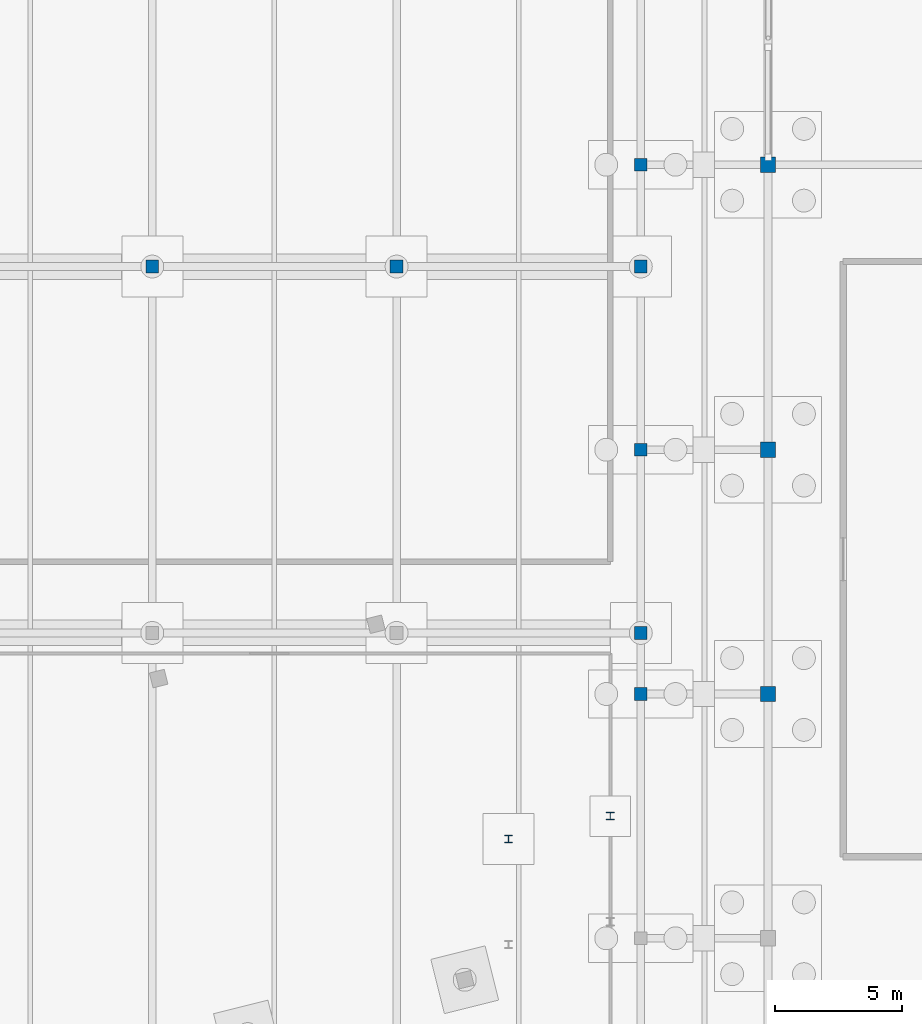
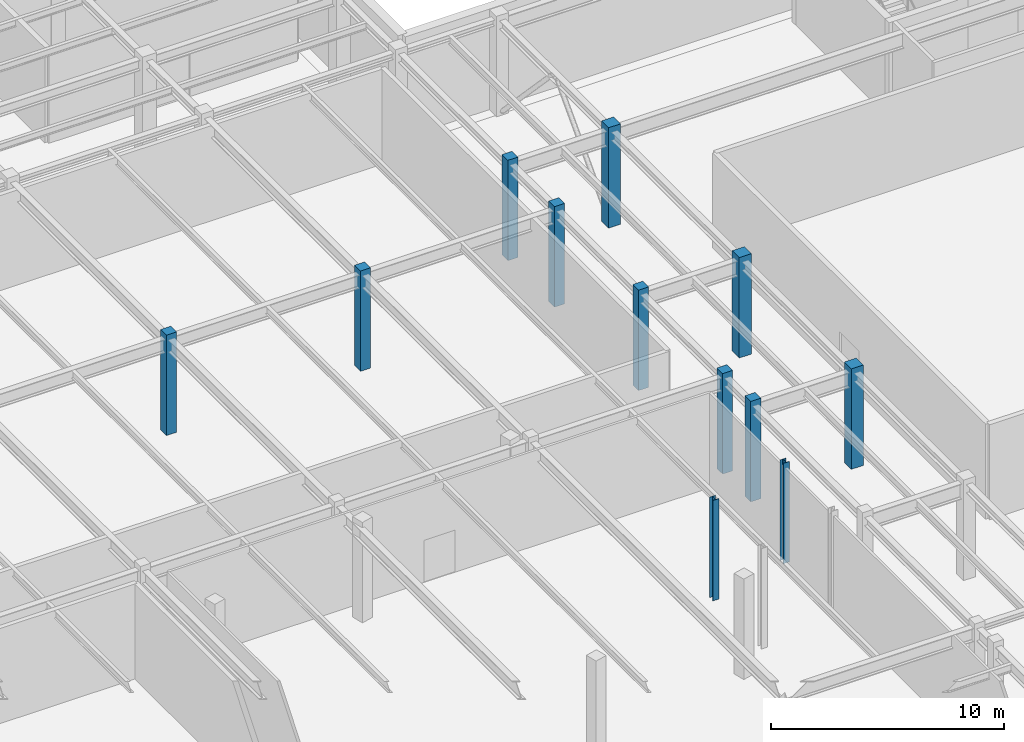
# One storey, part 12 of 33: 12 columns.
"""IFC4 building model written with IfcOpenShell, lengths in metres."""

from ifc_helpers import new_model, si_unit, direction, frame, origin, origin_2d, place, context, subcontext, project, spatial, rectangle, i_section, extrude, material, material_profile, profile_set, type_object, element, save


model = new_model("IFC4")

# Units and contexts
model_context = context("Model", 3, precision=1e-05, world=origin(), true_north=direction((0.0, 1.0)))
body_context = subcontext(model_context, "Body", "Model", "MODEL_VIEW")
ifc_project = project(units=[si_unit("LENGTHUNIT", "METRE"), si_unit("AREAUNIT", "SQUARE_METRE"), si_unit("VOLUMEUNIT", "CUBIC_METRE"), si_unit("PLANEANGLEUNIT", "RADIAN"), si_unit("MASSUNIT", "GRAM", prefix="KILO")], contexts=[model_context])

# Site, building, storey
site_placement = place(None, origin())
site = spatial("IfcSite", under=ifc_project, at=site_placement, CompositionType="ELEMENT")
building_placement = place(site_placement, origin())
building = spatial("IfcBuilding", under=site, at=building_placement, Name="Nordkorset Police Headquarters", CompositionType="ELEMENT")
storey_placement = place(building_placement, frame((0.0, 0.0, -9.800048828125)))
storey = spatial("IfcBuildingStorey", under=building, at=storey_placement, Name="B02", CompositionType="ELEMENT", Elevation=-9.800048828125)

# Columns
ifc_material_1 = material(Name="Steel S355J2", Category="steel")
ifc_material_profile_1 = material_profile(ifc_material_1, i_section(OverallWidth=0.300048828125, OverallDepth=0.300048828125, WebThickness=0.010986328125, FlangeThickness=0.01904296875, FilletRadius=0.027099609375, at=origin_2d()), Name="HEB 300")
ifc_profile_set_1 = profile_set([ifc_material_profile_1], Name="Steel S355J2")
column_type_1 = type_object("IfcColumnType", Name="Col_HEB_300", PredefinedType="COLUMN", material=ifc_profile_set_1)
for number, where, z_axis, x_axis, name in (
    (1, (81.199951171875, 61.5, 0.0), (0.0, 0.0, 1.0), (1.0, 0.0, 0.0), "Courtyard Link Bridge Column BRG_E_W1 B02"),
    (2, (85.199951171875, 62.39990234375, 0.0), (0.0, 0.0, 1.0), (1.0, 0.0, 0.0), "Courtyard Link Bridge Column BRG_E_E1 B02"),
):
    element("IfcColumn", number, at=place(storey_placement, frame(where, z_axis=z_axis, x_axis=x_axis)), inside=storey, type_object=column_type_1, Name=name, PredefinedType="COLUMN", context=body_context, shape_type="SweptSolid", body=[
        extrude(i_section(OverallWidth=0.300048828125, OverallDepth=0.300048828125, WebThickness=0.010986328125, FlangeThickness=0.01904296875, FilletRadius=0.027099609375, at=origin_2d()), origin(), (0.0, 0.0, 1.0), 5.25),
    ])
ifc_material_2 = material(Name="Concrete C45/55", Category="concrete")
ifc_material_profile_2 = material_profile(ifc_material_2, rectangle(XDim=0.5, YDim=0.5, at=origin_2d()), Name="RC 500x500")
ifc_profile_set_2 = profile_set([ifc_material_profile_2], Name="Concrete C45/55")
column_type_2 = type_object("IfcColumnType", Name="Col_RC_500x500", PredefinedType="COLUMN", material=ifc_profile_set_2)
for number, where, z_axis, x_axis, name in (
    (3, (86.39990234375, 67.199951171875, 0.0), (0.0, 0.0, 1.0), (1.0, 0.0, 0.0), "Structural Column V5_X0_2 B02"),
    (4, (86.39990234375, 76.800048828125, 0.0), (0.0, 0.0, 1.0), (1.0, 0.0, 0.0), "Structural Column V5_X0_3 B02"),
    (5, (86.39990234375, 88.0, 0.0), (0.0, 0.0, 1.0), (1.0, 0.0, 0.0), "Structural Column V5_X0_4 B02"),
    (6, (67.199951171875, 84.0, 0.0), (0.0, 0.0, 1.0), (1.0, 0.0, 0.0), "Structural Column SUB_C_4_3 B02"),
    (7, (76.800048828125, 84.0, 0.0), (0.0, 0.0, 1.0), (1.0, 0.0, 0.0), "Structural Column SUB_C_5_3 B02"),
    (8, (86.39990234375, 69.60009765625, 0.0), (0.0, 0.0, 1.0), (1.0, 0.0, 0.0), "Structural Column SUB_C_6_2 B02"),
    (9, (86.39990234375, 84.0, 0.0), (0.0, 0.0, 1.0), (1.0, 0.0, 0.0), "Structural Column SUB_C_6_3 B02"),
):
    element("IfcColumn", number, at=place(storey_placement, frame(where, z_axis=z_axis, x_axis=x_axis)), inside=storey, type_object=column_type_2, Name=name, PredefinedType="COLUMN", context=body_context, shape_type="SweptSolid", body=[
        extrude(rectangle(XDim=0.5, YDim=0.5, at=origin_2d()), origin(), (0.0, 0.0, 1.0), 5.25),
    ])
ifc_material_3 = material(Name="Concrete C45/55", Category="concrete")
ifc_material_profile_3 = material_profile(ifc_material_3, rectangle(XDim=0.60009765625, YDim=0.60009765625, at=origin_2d()), Name="RC 600x600")
ifc_profile_set_3 = profile_set([ifc_material_profile_3], Name="Concrete C45/55")
column_type_3 = type_object("IfcColumnType", Name="Col_RC_600x600", PredefinedType="COLUMN", material=ifc_profile_set_3)
for number, where, z_axis, x_axis, name in (
    (10, (91.39990234375, 67.199951171875, 0.0), (0.0, 0.0, 1.0), (1.0, 0.0, 0.0), "Structural Column V5_X1_2 B02"),
    (11, (91.39990234375, 76.800048828125, 0.0), (0.0, 0.0, 1.0), (1.0, 0.0, 0.0), "Structural Column V5_X1_3 B02"),
    (12, (91.39990234375, 88.0, 0.0), (0.0, 0.0, 1.0), (1.0, 0.0, 0.0), "Structural Column V5_X1_4 B02"),
):
    element("IfcColumn", number, at=place(storey_placement, frame(where, z_axis=z_axis, x_axis=x_axis)), inside=storey, type_object=column_type_3, Name=name, PredefinedType="COLUMN", context=body_context, shape_type="SweptSolid", body=[
        extrude(rectangle(XDim=0.60009765625, YDim=0.60009765625, at=origin_2d()), origin(), (0.0, 0.0, 1.0), 5.25),
    ])

save(model, "model.ifc")
